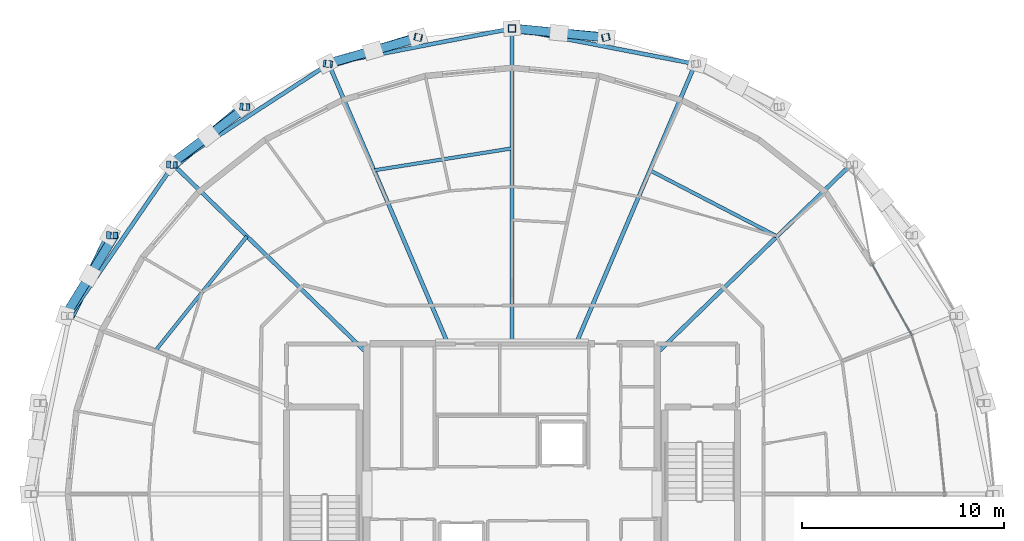
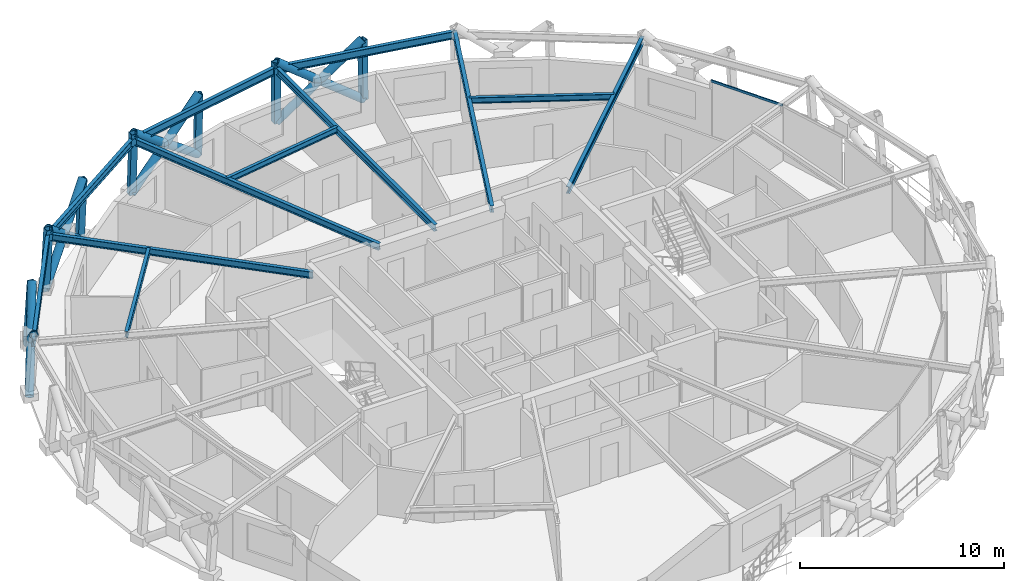
# One storey, part 8 of 17: 20 members, 12 beams, 1 element without a shape of its own.
"""IFC4 building model written with IfcOpenShell, lengths in metres."""

from ifc_helpers import new_model, si_unit, direction, frame, origin, origin_2d, place, context, subcontext, project, spatial, hollow_rectangle, hollow_circle, i_section, extrude, material, layer, layer_set, material_profile, profile_set, type_object, element, aggregate, save


model = new_model("IFC4")

# Units and contexts
model_context = context("Model", 3, precision=1e-05, world=origin(), true_north=direction((0.0, 1.0)))
body_context = subcontext(model_context, "Body", "Model", "MODEL_VIEW")
ifc_project = project(units=[si_unit("LENGTHUNIT", "METRE"), si_unit("AREAUNIT", "SQUARE_METRE"), si_unit("VOLUMEUNIT", "CUBIC_METRE"), si_unit("PLANEANGLEUNIT", "RADIAN"), si_unit("MASSUNIT", "GRAM", prefix="KILO")], contexts=[model_context])

# Site, building, storey
site_placement = place(None, origin())
site = spatial("IfcSite", under=ifc_project, at=site_placement, CompositionType="ELEMENT")
building_placement = place(site_placement, origin())
building = spatial("IfcBuilding", under=site, at=building_placement, Name="Veldorina Hangang Commons", CompositionType="ELEMENT")
storey_placement = place(building_placement, frame((0.0, 0.0, 236.39990234375)))
storey = spatial("IfcBuildingStorey", under=building, at=storey_placement, Name="L61", CompositionType="ELEMENT", Elevation=236.39990234375)

# Beams
ifc_material_1 = material(Name="Steel SM355-TMC", Category="steel")
ifc_material_profile_1 = material_profile(ifc_material_1, i_section(OverallWidth=0.199951171875, OverallDepth=0.39990234375, WebThickness=0.008056640625, FlangeThickness=0.012939453125, FilletRadius=0.012939453125, at=origin_2d()), Name="H-400x200x8x13")
ifc_profile_set_1 = profile_set([ifc_material_profile_1], Name="Steel SM355-TMC")
beam_type_1 = type_object("IfcBeamType", Name="BM-FG400", PredefinedType="BEAM", material=ifc_profile_set_1)
beam_1_placement = place(storey_placement, frame((39.199951171875, 30.99853515625, 3.16015625), z_axis=(0.717064277659, 0.697007045664, 0.0), x_axis=(-0.697007045664, 0.717064277659, 0.0)))
element("IfcBeam", 1, at=beam_1_placement, inside=storey, type_object=beam_type_1, Name="L61 radial floor girder 03", PredefinedType="BEAM", context=body_context, shape_type="SweptSolid", body=[
    extrude(i_section(OverallWidth=0.199951171875, OverallDepth=0.39990234375, WebThickness=0.008056640625, FlangeThickness=0.012939453125, FilletRadius=0.012939453125, at=origin_2d()), origin(), (0.0, 0.0, 1.0), 13.389404296875),
])
beam_2_placement = place(storey_placement, frame((35.1748046875, 31.449951171875, 3.16015625), z_axis=(0.392027091134, 0.919953672647, 0.0), x_axis=(-0.919953672647, 0.392027091134, 0.0)))
element("IfcBeam", 2, at=beam_2_placement, inside=storey, type_object=beam_type_1, Name="L61 radial floor girder 04", PredefinedType="BEAM", context=body_context, shape_type="SweptSolid", body=[
    extrude(i_section(OverallWidth=0.199951171875, OverallDepth=0.39990234375, WebThickness=0.008056640625, FlangeThickness=0.012939453125, FilletRadius=0.012939453125, at=origin_2d()), origin(), (0.0, 0.0, 1.0), 15.095703125),
])
beam_3_placement = place(storey_placement, frame((32.0, 31.449951171875, 3.16015625), z_axis=(0.0, 1.0, 0.0), x_axis=(-1.0, 0.0, 0.0)))
element("IfcBeam", 3, at=beam_3_placement, inside=storey, type_object=beam_type_1, Name="L61 radial floor girder 05", PredefinedType="BEAM", context=body_context, shape_type="SweptSolid", body=[
    extrude(i_section(OverallWidth=0.199951171875, OverallDepth=0.39990234375, WebThickness=0.008056640625, FlangeThickness=0.012939453125, FilletRadius=0.012939453125, at=origin_2d()), origin(), (0.0, 0.0, 1.0), 15.6455078125),
])
beam_4_placement = place(storey_placement, frame((28.8251953125, 31.449951171875, 3.16015625), z_axis=(-0.392027091134, 0.919953672647, 0.0), x_axis=(-0.919953672647, -0.392027091134, 0.0)))
element("IfcBeam", 4, at=beam_4_placement, inside=storey, type_object=beam_type_1, Name="L61 radial floor girder 06", PredefinedType="BEAM", context=body_context, shape_type="SweptSolid", body=[
    extrude(i_section(OverallWidth=0.199951171875, OverallDepth=0.39990234375, WebThickness=0.008056640625, FlangeThickness=0.012939453125, FilletRadius=0.012939453125, at=origin_2d()), origin(), (0.0, 0.0, 1.0), 15.095703125),
])
beam_5_placement = place(storey_placement, frame((24.800048828125, 30.99853515625, 3.16015625), z_axis=(-0.717064277659, 0.697007045664, 0.0), x_axis=(-0.697007045664, -0.717064277659, 0.0)))
element("IfcBeam", 5, at=beam_5_placement, inside=storey, type_object=beam_type_1, Name="L61 radial floor girder 07", PredefinedType="BEAM", context=body_context, shape_type="SweptSolid", body=[
    extrude(i_section(OverallWidth=0.199951171875, OverallDepth=0.39990234375, WebThickness=0.008056640625, FlangeThickness=0.012939453125, FilletRadius=0.012939453125, at=origin_2d()), origin(), (0.0, 0.0, 1.0), 13.389404296875),
])
ifc_material_profile_2 = material_profile(ifc_material_1, i_section(OverallWidth=0.175048828125, OverallDepth=0.35009765625, WebThickness=0.007080078125, FlangeThickness=0.010986328125, FilletRadius=0.012939453125, at=origin_2d()), Name="H-350x175x7x11")
ifc_profile_set_2 = profile_set([ifc_material_profile_2], Name="Steel SM355-TMC")
beam_type_2 = type_object("IfcBeamType", Name="BM-JST350", PredefinedType="JOIST", material=ifc_profile_set_2)
beam_6_placement = place(storey_placement, frame((45.152587890625, 36.78466796875, 3.18505859375), z_axis=(-0.887494996303, 0.460817351602, 0.0), x_axis=(-0.460817351602, -0.887494996303, 0.0)))
element("IfcBeam", 6, at=beam_6_placement, inside=storey, type_object=beam_type_2, Name="L61 secondary floor joist 03", PredefinedType="JOIST", context=body_context, shape_type="SweptSolid", body=[
    extrude(i_section(OverallWidth=0.175048828125, OverallDepth=0.35009765625, WebThickness=0.007080078125, FlangeThickness=0.010986328125, FilletRadius=0.012939453125, at=origin_2d()), origin(), (0.0, 0.0, 1.0), 7.1083984375),
])
beam_7_placement = place(storey_placement, frame((32.0, 41.150146484375, 3.18505859375), z_axis=(-0.987557313019, -0.157259510053, 0.0), x_axis=(0.157259510053, -0.987557313019, 0.0)))
element("IfcBeam", 7, at=beam_7_placement, inside=storey, type_object=beam_type_2, Name="L61 secondary floor joist 05", PredefinedType="JOIST", context=body_context, shape_type="SweptSolid", body=[
    extrude(i_section(OverallWidth=0.175048828125, OverallDepth=0.35009765625, WebThickness=0.007080078125, FlangeThickness=0.010986328125, FilletRadius=0.012939453125, at=origin_2d()), origin(), (0.0, 0.0, 1.0), 6.93017578125),
])
beam_8_placement = place(storey_placement, frame((18.847412109375, 36.78466796875, 3.18505859375), z_axis=(-0.625031498377, -0.780599529872, 0.0), x_axis=(0.780599529872, -0.625031498377, 0.0)))
element("IfcBeam", 8, at=beam_8_placement, inside=storey, type_object=beam_type_2, Name="L61 secondary floor joist 07", PredefinedType="JOIST", context=body_context, shape_type="SweptSolid", body=[
    extrude(i_section(OverallWidth=0.175048828125, OverallDepth=0.35009765625, WebThickness=0.007080078125, FlangeThickness=0.010986328125, FilletRadius=0.012939453125, at=origin_2d()), origin(), (0.0, 0.0, 1.0), 7.255126953125),
])
ifc_material_profile_3 = material_profile(ifc_material_1, i_section(OverallWidth=0.199951171875, OverallDepth=0.449951171875, WebThickness=0.009033203125, FlangeThickness=0.013916015625, FilletRadius=0.01611328125, at=origin_2d()), Name="H-450x200x9x14")
ifc_profile_set_3 = profile_set([ifc_material_profile_3], Name="Steel SM355-TMC")
beam_type_3 = type_object("IfcBeamType", Name="BM-RB450", PredefinedType="BEAM", material=ifc_profile_set_3)
for number, where, z_axis, x_axis, name in (
    (9, (41.0927734375, 45.33740234375, 3.135009765625), (-0.981816796626, 0.189830919142, 0.0), (-0.189830919142, -0.981816796626, 0.0), "L61 perimeter hoop ring beam 06"),
    (10, (32.0, 47.095458984375, 3.135009765625), (-0.981816796626, -0.189830919142, 0.0), (0.189830919142, -0.981816796626, 0.0), "L61 perimeter hoop ring beam 08"),
):
    element("IfcBeam", number, at=place(storey_placement, frame(where, z_axis=z_axis, x_axis=x_axis)), inside=storey, type_object=beam_type_3, Name=name, PredefinedType="BEAM", context=body_context, shape_type="SweptSolid", body=[
        extrude(i_section(OverallWidth=0.199951171875, OverallDepth=0.449951171875, WebThickness=0.009033203125, FlangeThickness=0.013916015625, FilletRadius=0.01611328125, at=origin_2d()), origin(), (0.0, 0.0, 1.0), 9.26123046875),
    ])
beam_9_placement = place(storey_placement, frame((22.9072265625, 45.33740234375, 3.135009765625), z_axis=(-0.838643218797, -0.544681146696, 0.0), x_axis=(0.544681146696, -0.838643218797, 0.0)))
element("IfcBeam", 11, at=beam_9_placement, inside=storey, type_object=beam_type_3, Name="L61 perimeter hoop ring beam 10", PredefinedType="BEAM", context=body_context, shape_type="SweptSolid", body=[
    extrude(i_section(OverallWidth=0.199951171875, OverallDepth=0.449951171875, WebThickness=0.009033203125, FlangeThickness=0.013916015625, FilletRadius=0.01611328125, at=origin_2d()), origin(), (0.0, 0.0, 1.0), 9.19140625),
])
beam_10_placement = place(storey_placement, frame((15.198974609375, 40.3310546875, 3.135009765625), z_axis=(-0.566485517873, -0.824071694721, 0.0), x_axis=(0.824071694721, -0.566485517873, 0.0)))
element("IfcBeam", 12, at=beam_10_placement, inside=storey, type_object=beam_type_3, Name="L61 perimeter hoop ring beam 12", PredefinedType="BEAM", context=body_context, shape_type="SweptSolid", body=[
    extrude(i_section(OverallWidth=0.199951171875, OverallDepth=0.449951171875, WebThickness=0.009033203125, FlangeThickness=0.013916015625, FilletRadius=0.01611328125, at=origin_2d()), origin(), (0.0, 0.0, 1.0), 9.09228515625),
])

# Curtain wall, member
ifc_material_2 = material(Name="Glass Low-E Selective", Category="glass")
ifc_layer = layer(ifc_material_2, 0.179931640625)
ifc_layer_set = layer_set([ifc_layer], Name="Glass Low-E Selective")
curtain_wall_type = type_object("IfcCurtainWallType", Name="CW-SYS-Z3", PredefinedType="NOTDEFINED", material=ifc_layer_set)
curtain_wall_placement = place(storey_placement, origin())
curtain_wall = element("IfcCurtainWall", 13, at=curtain_wall_placement, inside=storey, type_object=curtain_wall_type, Name="L61 unitised curtain wall CW-L61-R2", PredefinedType="NOTDEFINED")
ifc_material_3 = material(Name="Aluminium Anodized AA6063-T6", Category="aluminium")
ifc_material_profile_4 = material_profile(ifc_material_3, hollow_rectangle(XDim=0.06005859375, YDim=0.139892578125, WallThickness=0.00341796875, at=origin_2d()), Name="ALU-RHS-140x60x3.5")
ifc_profile_set_4 = profile_set([ifc_material_profile_4], Name="Aluminium Anodized AA6063-T6")
member_type_1 = type_object("IfcMemberType", Name="CW-TRN-140", PredefinedType="USERDEFINED", material=ifc_profile_set_4)
member_1_placement = place(storey_placement, frame((51.841552734375, 31.8779296875, 3.280029296875), z_axis=(-0.487020857791, 0.873390338896, 0.0), x_axis=(-0.873390338896, -0.487020857791, 0.0)))
member_1 = element("IfcMember", 14, at=member_1_placement, type_object=member_type_1, Name="CW-L61-R2 facet 5 transom 1", ObjectType="TRANSOM", PredefinedType="USERDEFINED", context=body_context, shape_type="SweptSolid", body=[
    extrude(hollow_rectangle(XDim=0.06005859375, YDim=0.139892578125, WallThickness=0.00341796875, at=origin_2d()), origin(), (0.0, 0.0, 1.0), 4.074951171875),
])
aggregate(curtain_wall, [member_1])

# Members
ifc_material_profile_5 = material_profile(ifc_material_1, hollow_circle(Radius=0.22509765625, WallThickness=0.02197265625, at=origin_2d()), Name="CHS-450x22")
ifc_profile_set_5 = profile_set([ifc_material_profile_5], Name="Steel SM355-TMC")
member_type_2 = type_object("IfcMemberType", Name="DG-CHS450", PredefinedType="BRACE", material=ifc_profile_set_5)
member_2_placement = place(storey_placement, frame((36.681396484375, 46.662109375, 0.0), z_axis=(-0.790592596049, 0.072936547714, 0.607983229275), x_axis=(-0.091865432129, -0.995771430791, 0.0)))
element("IfcMember", 15, at=member_2_placement, inside=storey, type_object=member_type_2, Name="L61 continuous perimeter diagrid brace 07", PredefinedType="BRACE", context=body_context, shape_type="SweptSolid", body=[
    extrude(hollow_circle(Radius=0.22509765625, WallThickness=0.02197265625, at=origin_2d()), origin(), (0.0, 0.0, 1.0), 5.92138671875),
])
member_3_placement = place(storey_placement, frame((32.0, 47.106201171875, 0.0), z_axis=(0.787004502911, -0.076776900001, 0.612151304845), x_axis=(0.097094919465, 0.99527512609, 0.0)))
element("IfcMember", 16, at=member_3_placement, inside=storey, type_object=member_type_2, Name="L61 split perimeter diagrid lower brace 08", PredefinedType="BRACE", context=body_context, shape_type="SweptSolid", body=[
    extrude(hollow_circle(Radius=0.22509765625, WallThickness=0.02197265625, at=origin_2d()), origin(), (0.0, 0.0, 1.0), 2.957275390625),
])
member_4_placement = place(storey_placement, frame((34.327392578125, 46.879150390625, 1.810302734375), z_axis=(0.78694163957, -0.078310127086, 0.612037890907), x_axis=(0.099022902079, 0.995085154579, 0.0)))
element("IfcMember", 17, at=member_4_placement, inside=storey, type_object=member_type_2, Name="L61 split perimeter diagrid upper brace 08", PredefinedType="BRACE", context=body_context, shape_type="SweptSolid", body=[
    extrude(hollow_circle(Radius=0.22509765625, WallThickness=0.02197265625, at=origin_2d()), origin(), (0.0, 0.0, 1.0), 2.92431640625),
])
member_5_placement = place(storey_placement, frame((27.318603515625, 46.662109375, 0.0), z_axis=(-0.753562038437, -0.227231541733, 0.616854991606), x_axis=(0.288703130608, -0.957418666194, 0.0)))
element("IfcMember", 18, at=member_5_placement, inside=storey, type_object=member_type_2, Name="L61 continuous perimeter diagrid brace 09", PredefinedType="BRACE", context=body_context, shape_type="SweptSolid", body=[
    extrude(hollow_circle(Radius=0.22509765625, WallThickness=0.02197265625, at=origin_2d()), origin(), (0.0, 0.0, 1.0), 5.836181640625),
])
member_6_placement = place(storey_placement, frame((22.81689453125, 45.347412109375, 0.0), z_axis=(0.76611608268, 0.216732892863, 0.605056196572), x_axis=(-0.272215001073, 0.962236453888, 0.0)))
element("IfcMember", 19, at=member_6_placement, inside=storey, type_object=member_type_2, Name="L61 split perimeter diagrid lower brace 10", PredefinedType="BRACE", context=body_context, shape_type="SweptSolid", body=[
    extrude(hollow_circle(Radius=0.22509765625, WallThickness=0.02197265625, at=origin_2d()), origin(), (0.0, 0.0, 1.0), 2.99072265625),
])
member_7_placement = place(storey_placement, frame((25.108154296875, 45.99560546875, 1.8095703125), z_axis=(0.764815516427, 0.221194217858, 0.605087054744), x_axis=(-0.277826577495, 0.960631247065, 0.0)))
element("IfcMember", 20, at=member_7_placement, inside=storey, type_object=member_type_2, Name="L61 split perimeter diagrid upper brace 10", PredefinedType="BRACE", context=body_context, shape_type="SweptSolid", body=[
    extrude(hollow_circle(Radius=0.22509765625, WallThickness=0.02197265625, at=origin_2d()), origin(), (0.0, 0.0, 1.0), 2.959228515625),
])
member_8_placement = place(storey_placement, frame((18.66845703125, 43.2119140625, 0.0), z_axis=(-0.598453994477, -0.500690957109, 0.625428958367), x_axis=(0.641680219659, -0.76697229135, 0.0)))
element("IfcMember", 21, at=member_8_placement, inside=storey, type_object=member_type_2, Name="L61 continuous perimeter diagrid brace 11", PredefinedType="BRACE", context=body_context, shape_type="SweptSolid", body=[
    extrude(hollow_circle(Radius=0.22509765625, WallThickness=0.02197265625, at=origin_2d()), origin(), (0.0, 0.0, 1.0), 5.756103515625),
])
member_9_placement = place(storey_placement, frame((15.031982421875, 40.33837890625, 0.0), z_axis=(0.638029131372, 0.477419545832, 0.604143529949), x_axis=(-0.599114332831, 0.80066348499, 0.0)))
element("IfcMember", 22, at=member_9_placement, inside=storey, type_object=member_type_2, Name="L61 split perimeter diagrid lower brace 12", PredefinedType="BRACE", context=body_context, shape_type="SweptSolid", body=[
    extrude(hollow_circle(Radius=0.22509765625, WallThickness=0.02197265625, at=origin_2d()), origin(), (0.0, 0.0, 1.0), 2.989990234375),
])
member_10_placement = place(storey_placement, frame((16.939697265625, 41.765869140625, 1.806396484375), z_axis=(0.633074293491, 0.483791476461, 0.604286973403), x_axis=(-0.607193355534, 0.794554107029, 0.0)))
element("IfcMember", 23, at=member_10_placement, inside=storey, type_object=member_type_2, Name="L61 split perimeter diagrid upper brace 12", PredefinedType="BRACE", context=body_context, shape_type="SweptSolid", body=[
    extrude(hollow_circle(Radius=0.22509765625, WallThickness=0.02197265625, at=origin_2d()), origin(), (0.0, 0.0, 1.0), 2.96826171875),
])
member_11_placement = place(storey_placement, frame((12.0478515625, 36.837158203125, 0.0), z_axis=(-0.343361552963, -0.698057701743, 0.628345676346), x_axis=(0.897322227226, -0.441376053412, 0.0)))
element("IfcMember", 24, at=member_11_placement, inside=storey, type_object=member_type_2, Name="L61 continuous perimeter diagrid brace 13", PredefinedType="BRACE", context=body_context, shape_type="SweptSolid", body=[
    extrude(hollow_circle(Radius=0.22509765625, WallThickness=0.02197265625, at=origin_2d()), origin(), (0.0, 0.0, 1.0), 5.7294921875),
])
member_12_placement = place(storey_placement, frame((9.830322265625, 32.84228515625, 0.0), z_axis=(0.416934137274, 0.673883840336, 0.609956141792), x_axis=(-0.850396174216, 0.526142895875, 0.0)))
element("IfcMember", 25, at=member_12_placement, inside=storey, type_object=member_type_2, Name="L61 split perimeter diagrid lower brace 14", PredefinedType="BRACE", context=body_context, shape_type="SweptSolid", body=[
    extrude(hollow_circle(Radius=0.22509765625, WallThickness=0.02197265625, at=origin_2d()), origin(), (0.0, 0.0, 1.0), 2.955810546875),
])
member_13_placement = place(storey_placement, frame((11.062744140625, 34.834228515625, 1.802978515625), z_axis=(0.410871820828, 0.677549013129, 0.610009575054), x_axis=(-0.855065758854, 0.518519573434, 0.0)))
element("IfcMember", 26, at=member_13_placement, inside=storey, type_object=member_type_2, Name="L61 split perimeter diagrid upper brace 14", PredefinedType="BRACE", context=body_context, shape_type="SweptSolid", body=[
    extrude(hollow_circle(Radius=0.22509765625, WallThickness=0.02197265625, at=origin_2d()), origin(), (0.0, 0.0, 1.0), 2.946044921875),
])
ifc_material_profile_6 = material_profile(ifc_material_1, hollow_rectangle(XDim=0.35009765625, YDim=0.35009765625, WallThickness=0.01611328125, at=origin_2d()), Name="SHS-350x350x16")
ifc_profile_set_6 = profile_set([ifc_material_profile_6], Name="Steel SM355-TMC")
member_type_3 = type_object("IfcMemberType", Name="STR-SHS350", PredefinedType="STRUT", material=ifc_profile_set_6)
member_14_placement = place(storey_placement, frame((36.681396484375, 46.662109375, 0.0), z_axis=(-0.014646388076, -0.003322560258, 0.999887215595), x_axis=(0.221230798555, -0.975221479342, 0.0)))
element("IfcMember", 27, at=member_14_placement, inside=storey, type_object=member_type_3, Name="L61 perimeter ring node post 07", PredefinedType="STRUT", context=body_context, shape_type="SweptSolid", body=[
    extrude(hollow_rectangle(XDim=0.35009765625, YDim=0.35009765625, WallThickness=0.01611328125, at=origin_2d()), origin(), (0.0, 0.0, 1.0), 3.6005859375),
])
member_15_placement = place(storey_placement, frame((32.0, 47.106201171875, 0.0), z_axis=(0.0, -0.003390730542, 0.999994251457), x_axis=(1.0, 0.0, 0.0)))
element("IfcMember", 28, at=member_15_placement, inside=storey, type_object=member_type_3, Name="L61 perimeter ring node post 08", PredefinedType="STRUT", context=body_context, shape_type="SweptSolid", body=[
    extrude(hollow_rectangle(XDim=0.35009765625, YDim=0.35009765625, WallThickness=0.01611328125, at=origin_2d()), origin(), (0.0, 0.0, 1.0), 3.60009765625),
])
member_16_placement = place(storey_placement, frame((27.318603515625, 46.662109375, 0.0), z_axis=(0.014646388076, -0.003322560258, 0.999887215595), x_axis=(0.221230798555, 0.975221479342, 0.0)))
element("IfcMember", 29, at=member_16_placement, inside=storey, type_object=member_type_3, Name="L61 perimeter ring node post 09", PredefinedType="STRUT", context=body_context, shape_type="SweptSolid", body=[
    extrude(hollow_rectangle(XDim=0.35009765625, YDim=0.35009765625, WallThickness=0.01611328125, at=origin_2d()), origin(), (0.0, 0.0, 1.0), 3.6005859375),
])
member_17_placement = place(storey_placement, frame((22.81689453125, 45.347412109375, 0.0), z_axis=(0.028809265977, -0.003185965885, 0.999579849644), x_axis=(0.109918141714, 0.993940643158, 0.0)))
element("IfcMember", 30, at=member_17_placement, inside=storey, type_object=member_type_3, Name="L61 perimeter ring node post 10", PredefinedType="STRUT", context=body_context, shape_type="SweptSolid", body=[
    extrude(hollow_rectangle(XDim=0.35009765625, YDim=0.35009765625, WallThickness=0.01611328125, at=origin_2d()), origin(), (0.0, 0.0, 1.0), 3.6015625),
])
member_18_placement = place(storey_placement, frame((18.66845703125, 43.2119140625, 0.0), z_axis=(0.041737477683, -0.002777981469, 0.999124749856), x_axis=(0.066411501771, 0.997792319289, 0.0)))
element("IfcMember", 31, at=member_18_placement, inside=storey, type_object=member_type_3, Name="L61 perimeter ring node post 11", PredefinedType="STRUT", context=body_context, shape_type="SweptSolid", body=[
    extrude(hollow_rectangle(XDim=0.35009765625, YDim=0.35009765625, WallThickness=0.01611328125, at=origin_2d()), origin(), (0.0, 0.0, 1.0), 3.603271484375),
])
member_19_placement = place(storey_placement, frame((15.031982421875, 40.33837890625, 0.0), z_axis=(0.053159354051, -0.002370162283, 0.998583229084), x_axis=(0.044541736754, 0.99900752434, 0.0)))
element("IfcMember", 32, at=member_19_placement, inside=storey, type_object=member_type_3, Name="L61 perimeter ring node post 12", PredefinedType="STRUT", context=body_context, shape_type="SweptSolid", body=[
    extrude(hollow_rectangle(XDim=0.35009765625, YDim=0.35009765625, WallThickness=0.01611328125, at=origin_2d()), origin(), (0.0, 0.0, 1.0), 3.605224609375),
])
member_20_placement = place(storey_placement, frame((12.0478515625, 36.837158203125, 0.0), z_axis=(0.062470875088, -0.001895107803, 0.99804498813), x_axis=(0.030321912441, 0.999540185098, 0.0)))
element("IfcMember", 33, at=member_20_placement, inside=storey, type_object=member_type_3, Name="L61 perimeter ring node post 13", PredefinedType="STRUT", context=body_context, shape_type="SweptSolid", body=[
    extrude(hollow_rectangle(XDim=0.35009765625, YDim=0.35009765625, WallThickness=0.01611328125, at=origin_2d()), origin(), (0.0, 0.0, 1.0), 3.607177734375),
])

save(model, "model.ifc")
